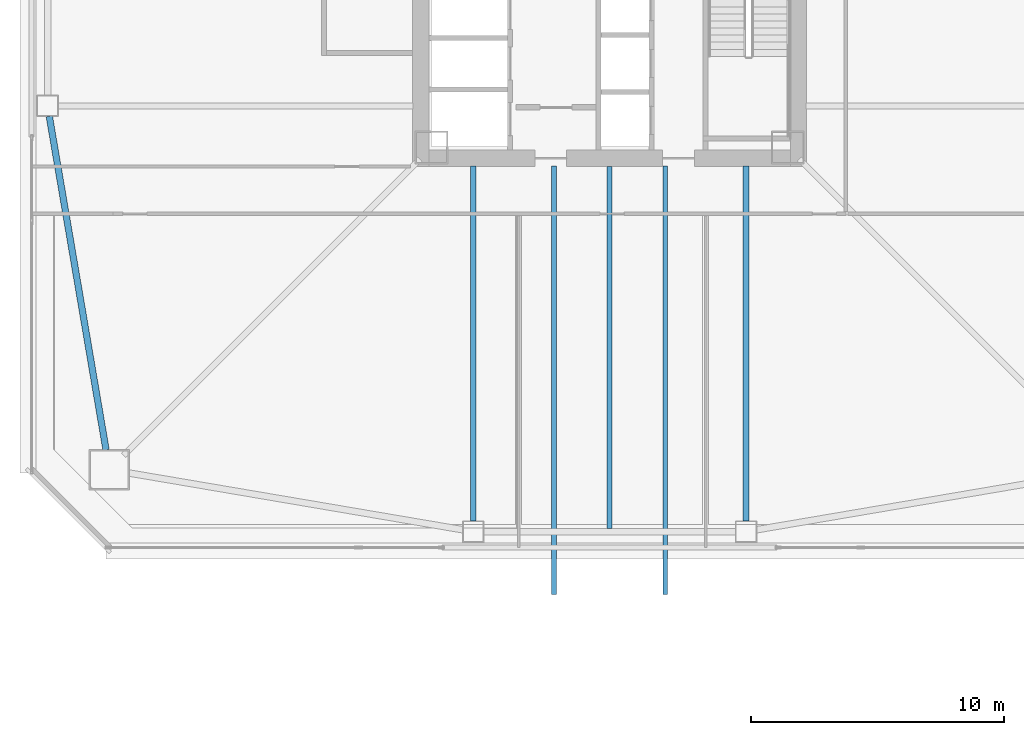
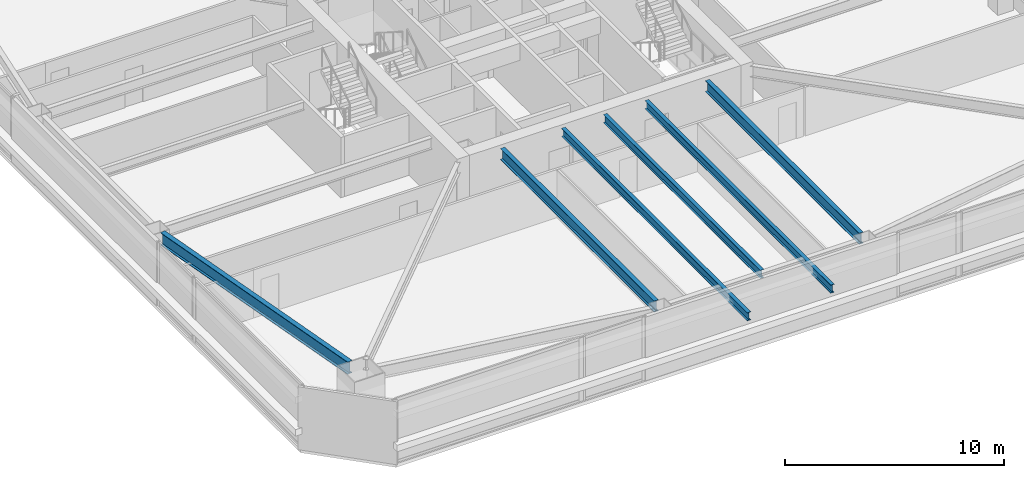
# One storey, part 6 of 46: 6 beams.
"""IFC4 building model written with IfcOpenShell, lengths in metres."""

from ifc_helpers import new_model, si_unit, direction, frame, origin, origin_2d, place, context, subcontext, project, spatial, i_section, extrude, material, material_profile, profile_set, type_object, element, save


model = new_model("IFC4")

# Units and contexts
model_context = context("Model", 3, precision=1e-05, world=origin(), true_north=direction((0.0, 1.0)))
body_context = subcontext(model_context, "Body", "Model", "MODEL_VIEW")
ifc_project = project(units=[si_unit("LENGTHUNIT", "METRE"), si_unit("AREAUNIT", "SQUARE_METRE"), si_unit("VOLUMEUNIT", "CUBIC_METRE"), si_unit("PLANEANGLEUNIT", "RADIAN"), si_unit("MASSUNIT", "GRAM", prefix="KILO")], contexts=[model_context])

# Site, building, storey
site_placement = place(None, origin())
site = spatial("IfcSite", under=ifc_project, at=site_placement, CompositionType="ELEMENT")
building_placement = place(site_placement, origin())
building = spatial("IfcBuilding", under=site, at=building_placement, Name="Tashvorn Skyway Center", CompositionType="ELEMENT")
storey_placement = place(building_placement, frame((0.0, 0.0, 31.699951171875)))
storey = spatial("IfcBuildingStorey", under=building, at=storey_placement, Name="L07", CompositionType="ELEMENT", Elevation=31.699951171875)

# Beams
ifc_material = material(Name="Steel ASTM A992 Grade 50", Category="steel")
ifc_material_profile_1 = material_profile(ifc_material, i_section(OverallWidth=0.22998046875, OverallDepth=0.616943359375, WebThickness=0.01318359375, FlangeThickness=0.022216796875, at=origin_2d()), Name="W24X94")
ifc_profile_set_1 = profile_set([ifc_material_profile_1], Name="Steel ASTM A992 Grade 50")
beam_type_1 = type_object("IfcBeamType", Name="BM-BEAM-W24X94", PredefinedType="BEAM", material=ifc_profile_set_1)
for number, where, z_axis, x_axis, name in (
    (1, (36.60009765625, 10.169921875, 3.04150390625), (0.0, 1.0, 0.0), (-1.0, 0.0, 0.0), "Tower 1 L07 Primary Floor Girder FC-S1"),
    (2, (47.39990234375, 10.169921875, 3.04150390625), (0.0, 1.0, 0.0), (-1.0, 0.0, 0.0), "Tower 1 L07 Primary Floor Girder FC-S2"),
):
    element("IfcBeam", number, at=place(storey_placement, frame(where, z_axis=z_axis, x_axis=x_axis)), inside=storey, type_object=beam_type_1, Name=name, PredefinedType="BEAM", context=body_context, shape_type="SweptSolid", body=[
        extrude(i_section(OverallWidth=0.22998046875, OverallDepth=0.616943359375, WebThickness=0.01318359375, FlangeThickness=0.022216796875, at=origin_2d()), origin(), (0.0, 0.0, 1.0), 14.050048828125),
    ])
ifc_material_profile_2 = material_profile(ifc_material, i_section(OverallWidth=0.19091796875, OverallDepth=0.4599609375, WebThickness=0.010009765625, FlangeThickness=0.01611328125, at=origin_2d()), Name="W18X55")
ifc_profile_set_2 = profile_set([ifc_material_profile_2], Name="Steel ASTM A992 Grade 50")
beam_type_2 = type_object("IfcBeamType", Name="BM-JOIST-W18X55", PredefinedType="JOIST", material=ifc_profile_set_2)
beam_1_placement = place(storey_placement, frame((42.0, 24.2099609375, 3.1201171875), z_axis=(0.0, -1.0, 0.0), x_axis=(1.0, 0.0, 0.0)))
element("IfcBeam", 3, at=beam_1_placement, inside=storey, type_object=beam_type_2, Name="Tower 1 L07 Secondary Composite Joist JS", PredefinedType="JOIST", context=body_context, shape_type="SweptSolid", body=[
    extrude(i_section(OverallWidth=0.19091796875, OverallDepth=0.4599609375, WebThickness=0.010009765625, FlangeThickness=0.01611328125, at=origin_2d()), origin(), (0.0, 0.0, 1.0), 14.33984375),
])
for number, where, z_axis, x_axis, name in (
    (4, (39.800048828125, 24.219970703125, 3.1201171875), (0.0, -1.0, 0.0), (1.0, 0.0, 0.0), "Tower 1 L08 Terrace Cantilever Outlooker 1"),
    (5, (44.199951171875, 24.219970703125, 3.1201171875), (0.0, -1.0, 0.0), (1.0, 0.0, 0.0), "Tower 1 L08 Terrace Cantilever Outlooker 2"),
):
    element("IfcBeam", number, at=place(storey_placement, frame(where, z_axis=z_axis, x_axis=x_axis)), inside=storey, type_object=beam_type_2, Name=name, PredefinedType="JOIST", context=body_context, shape_type="SweptSolid", body=[
        extrude(i_section(OverallWidth=0.19091796875, OverallDepth=0.4599609375, WebThickness=0.010009765625, FlangeThickness=0.01611328125, at=origin_2d()), origin(), (0.0, 0.0, 1.0), 16.969970703125),
    ])
ifc_material_profile_3 = material_profile(ifc_material, i_section(OverallWidth=0.256103515625, OverallDepth=0.693115234375, WebThickness=0.014404296875, FlangeThickness=0.023681640625, at=origin_2d()), Name="W27X114")
ifc_profile_set_3 = profile_set([ifc_material_profile_3], Name="Steel ASTM A992 Grade 50")
beam_type_3 = type_object("IfcBeamType", Name="BM-SPANDREL-W27X114", PredefinedType="SPANDREL", material=ifc_profile_set_3)
beam_2_placement = place(storey_placement, frame((19.820556640625, 26.18603515625, 3.003662109375), z_axis=(0.16771792509, -0.985835025551, 0.0), x_axis=(0.985835025551, 0.16771792509, 0.0)))
element("IfcBeam", 6, at=beam_2_placement, inside=storey, type_object=beam_type_3, Name="Tower 1 L07 Spandrel Beam 12", PredefinedType="SPANDREL", context=body_context, shape_type="SweptSolid", body=[
    extrude(i_section(OverallWidth=0.256103515625, OverallDepth=0.693115234375, WebThickness=0.014404296875, FlangeThickness=0.023681640625, at=origin_2d()), origin(), (0.0, 0.0, 1.0), 13.39208984375),
])

save(model, "model.ifc")
